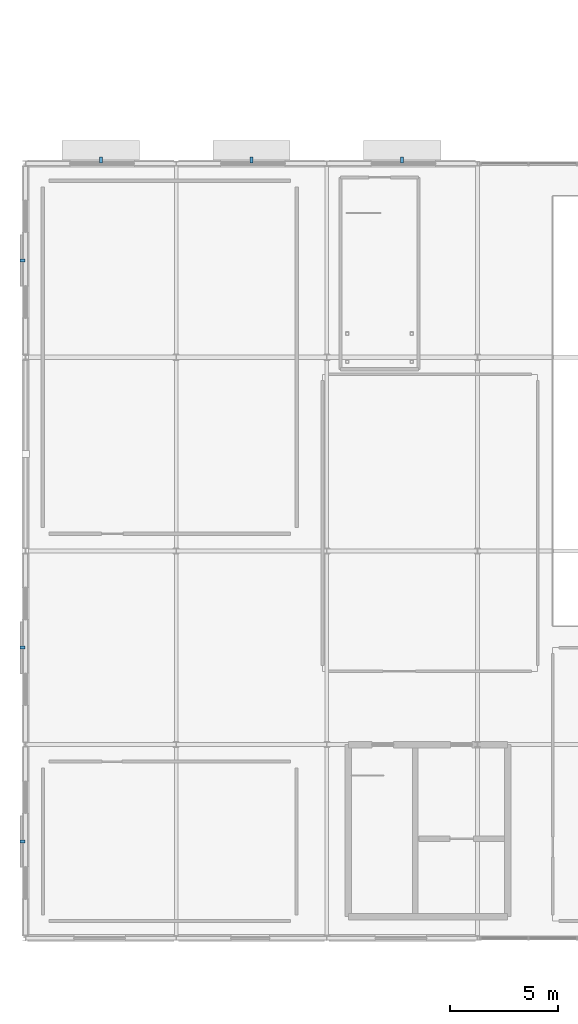
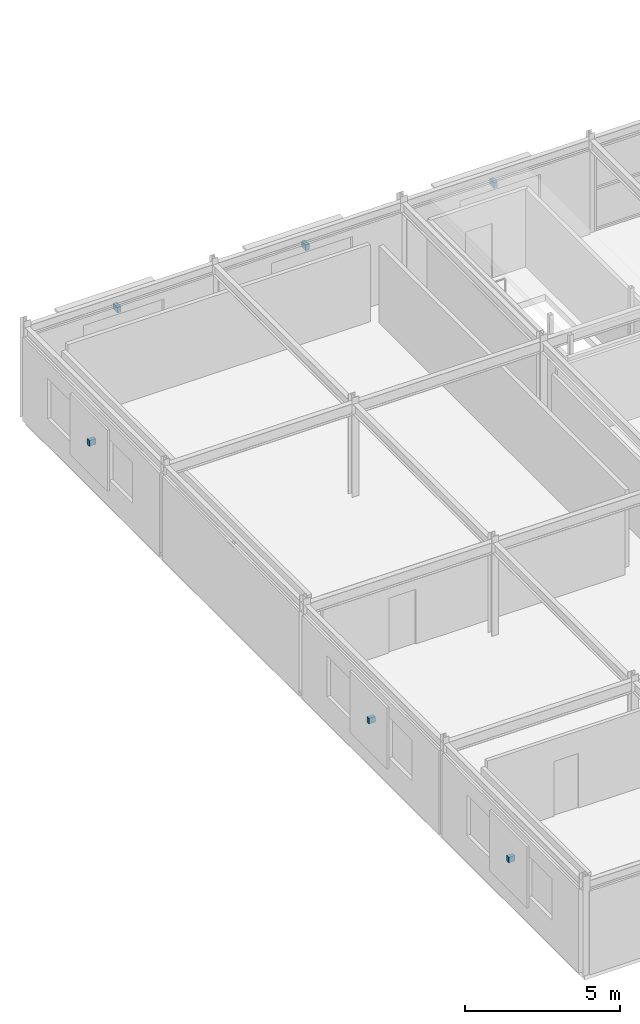
# One storey, part 84 of 98: 6 discrete accessories.
"""IFC4 building model written with IfcOpenShell, lengths in metres."""

from ifc_helpers import new_model, si_unit, derived_unit, direction, frame, origin, origin_2d_with_axis, place, context, subcontext, project, spatial, rectangle, extrude, material, type_object, element, save


model = new_model("IFC4")

# Units and contexts
model_context = context("Model", 3, precision=1e-05, world=origin(), true_north=direction((0.0, 1.0)))
body_context = subcontext(model_context, "Body", "Model", "MODEL_VIEW")
ifc_project = project(units=[si_unit("LENGTHUNIT", "METRE"), si_unit("AREAUNIT", "SQUARE_METRE"), si_unit("VOLUMEUNIT", "CUBIC_METRE"), si_unit("PLANEANGLEUNIT", "RADIAN"), si_unit("MASSUNIT", "GRAM", prefix="KILO"), derived_unit("THERMALTRANSMITTANCEUNIT", [(si_unit("POWERUNIT", "WATT"), 1), (si_unit("LENGTHUNIT", "METRE"), -2), (si_unit("THERMODYNAMICTEMPERATUREUNIT", "KELVIN"), -1)])], contexts=[model_context])

# Site, building, storey
site_placement = place(None, origin())
site = spatial("IfcSite", under=ifc_project, at=site_placement, CompositionType="ELEMENT")
building_placement = place(site_placement, origin())
building = spatial("IfcBuilding", under=site, at=building_placement, Name="Cinnabar Yard Market Hall", CompositionType="ELEMENT")
storey_placement = place(building_placement, frame((0.0, 0.0, 4.5)))
storey = spatial("IfcBuildingStorey", under=building, at=storey_placement, Name="L01", CompositionType="ELEMENT", Elevation=4.5)

# Discrete accessories
ifc_material = material(Name="Galvanised steel Grade 350 (350 MPa)", Category="steel")
discrete_accessory_type = type_object("IfcDiscreteAccessoryType", Name="ACC-BRK1", PredefinedType="BRACKET", material=ifc_material)
for number, where, z_axis, x_axis, name in (
    (1, (13.5, 84.159912109375, 2.89990234375), (0.0, 0.0, 1.0), (1.0, 0.0, 0.0), "Chhajja Bracket V2N-L01-1"),
    (2, (20.5, 84.159912109375, 2.89990234375), (0.0, 0.0, 1.0), (1.0, 0.0, 0.0), "Chhajja Bracket V2N-L01-2"),
    (3, (27.5, 84.159912109375, 2.89990234375), (0.0, 0.0, 1.0), (1.0, 0.0, 0.0), "Chhajja Bracket V2N-L01-3"),
):
    element("IfcDiscreteAccessory", number, at=place(storey_placement, frame(where, z_axis=z_axis, x_axis=x_axis)), inside=storey, type_object=discrete_accessory_type, Name=name, PredefinedType="BRACKET", context=body_context, shape_type="SweptSolid", body=[
        extrude(rectangle(XDim=0.139892578125, YDim=0.280029296875, at=origin_2d_with_axis()), origin(), (0.0, 0.0, 1.0), 0.219970703125),
    ])
for number, where, z_axis, x_axis, name in (
    (4, (9.860107421875, 52.5, 1.740234375), (0.0, 0.0, 1.0), (1.0, 0.0, 0.0), "Jali Bracket V2W-L01-1"),
    (5, (9.860107421875, 61.5, 1.740234375), (0.0, 0.0, 1.0), (1.0, 0.0, 0.0), "Jali Bracket V2W-L01-2"),
    (6, (9.860107421875, 79.5, 1.740234375), (0.0, 0.0, 1.0), (1.0, 0.0, 0.0), "Jali Bracket V2W-L01-4"),
):
    element("IfcDiscreteAccessory", number, at=place(storey_placement, frame(where, z_axis=z_axis, x_axis=x_axis)), inside=storey, type_object=discrete_accessory_type, Name=name, PredefinedType="BRACKET", context=body_context, shape_type="SweptSolid", body=[
        extrude(rectangle(XDim=0.239990234375, YDim=0.139892578125, at=origin_2d_with_axis()), origin(), (0.0, 0.0, 1.0), 0.219970703125),
    ])

save(model, "model.ifc")
